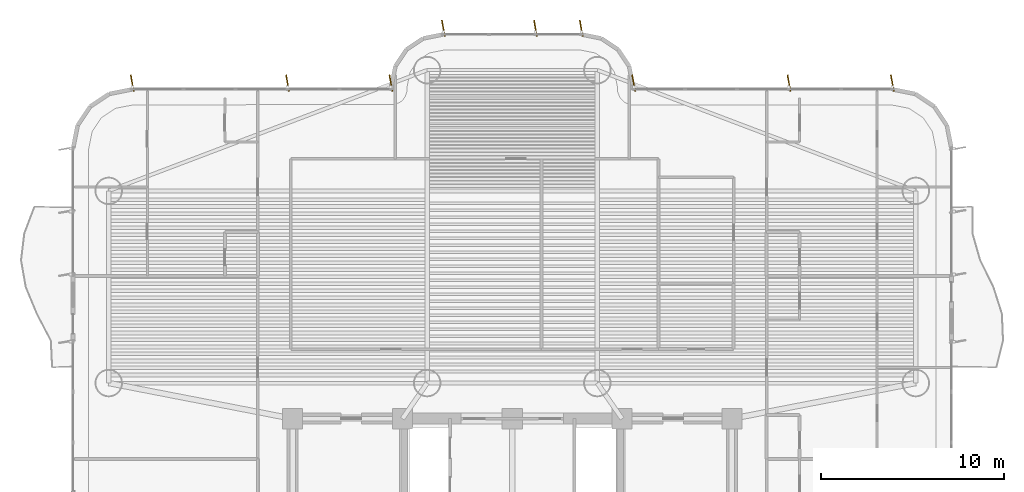
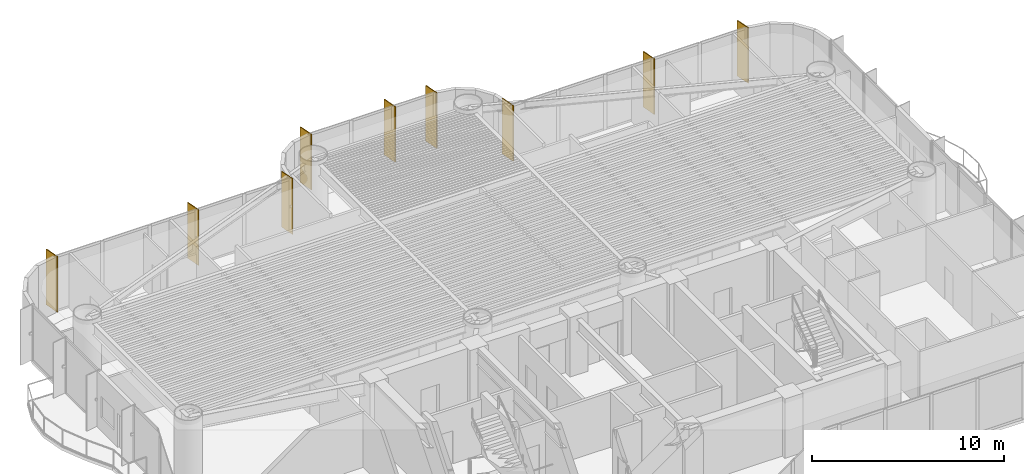
# One storey, part 18 of 18: 9 shading devices.
"""IFC4 building model written with IfcOpenShell, lengths in metres."""

from ifc_helpers import new_model, si_unit, direction, frame, origin, origin_2d, place, context, subcontext, project, spatial, rectangle, extrude, source, transform, mapped, material, material_profile, profile_set, type_object, element, save


model = new_model("IFC4")

# Units and contexts
model_context = context("Model", 3, precision=1e-05, world=origin(), true_north=direction((0.0, 1.0)))
body_context = subcontext(model_context, "Body", "Model", "MODEL_VIEW")
ifc_project = project(units=[si_unit("LENGTHUNIT", "METRE"), si_unit("AREAUNIT", "SQUARE_METRE"), si_unit("VOLUMEUNIT", "CUBIC_METRE"), si_unit("PLANEANGLEUNIT", "RADIAN"), si_unit("MASSUNIT", "GRAM", prefix="KILO")], contexts=[model_context])

# Site, building, storey
site_placement = place(None, origin())
site = spatial("IfcSite", under=ifc_project, at=site_placement, CompositionType="ELEMENT")
building_placement = place(site_placement, origin())
building = spatial("IfcBuilding", under=site, at=building_placement, Name="Brelvock Crest Care Tower", CompositionType="ELEMENT")
storey_placement = place(building_placement, frame((0.0, 0.0, 72.360107421875)))
storey = spatial("IfcBuildingStorey", under=building, at=storey_placement, Name="L18", CompositionType="ELEMENT", Elevation=72.360107421875)

# Shading devices
ifc_material = material(Name="Aluminium 6063-T6", Category="aluminium")
ifc_material_profile = material_profile(ifc_material, rectangle(XDim=0.054931640625, YDim=0.89990234375, at=origin_2d()), Name="FIN55x900")
ifc_profile_set = profile_set([ifc_material_profile], Name="Aluminium 6063-T6")
shading_device_type = type_object("IfcShadingDeviceType", Name="SHD-FIN1", PredefinedType="USERDEFINED", material=ifc_profile_set)
shared_shape = source(origin(), body_context, "Body", "SweptSolid", [
    extrude(rectangle(XDim=0.054931640625, YDim=0.89990234375, at=origin_2d()), origin(), (0.0, 0.0, 1.0), 3.52978515625),
])
for number, where, z_axis, x_axis, name in (
    (1, (15.232421875, 36.340087890625, 0.0), (0.0, 0.0, 1.0), (0.984807753012, 0.173648177667, 0.0), "L18 Vertical Sunshade Fin E18-01"),
    (2, (23.719970703125, 36.340087890625, 0.0), (0.0, 0.0, 1.0), (0.984807753012, 0.173648177667, 0.0), "L18 Vertical Sunshade Fin E18-04"),
    (3, (29.367431640625, 36.340087890625, 0.0), (0.0, 0.0, 1.0), (0.984807753012, 0.173648177667, 0.0), "L18 Vertical Sunshade Fin E18-06"),
    (4, (32.232421875, 39.340087890625, 0.0), (0.0, 0.0, 1.0), (0.984807753012, 0.173648177667, 0.0), "L18 Vertical Sunshade Fin E24-01"),
    (5, (37.2666015625, 39.340087890625, 0.0), (0.0, 0.0, 1.0), (0.984807753012, 0.173648177667, 0.0), "L18 Vertical Sunshade Fin E24-03"),
    (6, (39.767578125, 39.340087890625, 0.0), (0.0, 0.0, 1.0), (0.984807753012, 0.173648177667, 0.0), "L18 Vertical Sunshade Fin E24-04"),
    (7, (42.632568359375, 36.340087890625, 0.0), (0.0, 0.0, 1.0), (0.984807753012, 0.173648177667, 0.0), "L18 Vertical Sunshade Fin E30-01"),
    (8, (51.1201171875, 36.340087890625, 0.0), (0.0, 0.0, 1.0), (0.984807753012, 0.173648177667, 0.0), "L18 Vertical Sunshade Fin E30-04"),
    (9, (56.767578125, 36.340087890625, 0.0), (0.0, 0.0, 1.0), (0.984807753012, 0.173648177667, 0.0), "L18 Vertical Sunshade Fin E30-06"),
):
    element("IfcShadingDevice", number, at=place(storey_placement, frame(where, z_axis=z_axis, x_axis=x_axis)), inside=storey, type_object=shading_device_type, Name=name, ObjectType="FIN", PredefinedType="USERDEFINED", context=body_context, shape_type="MappedRepresentation", body=[
        mapped(shared_shape, transform((0.0, 0.0, 0.0), x_axis=(1.0, 0.0, 0.0), y_axis=(0.0, 1.0, 0.0), z_axis=(0.0, 0.0, 1.0), scale=1.0)),
    ])

save(model, "model.ifc")
